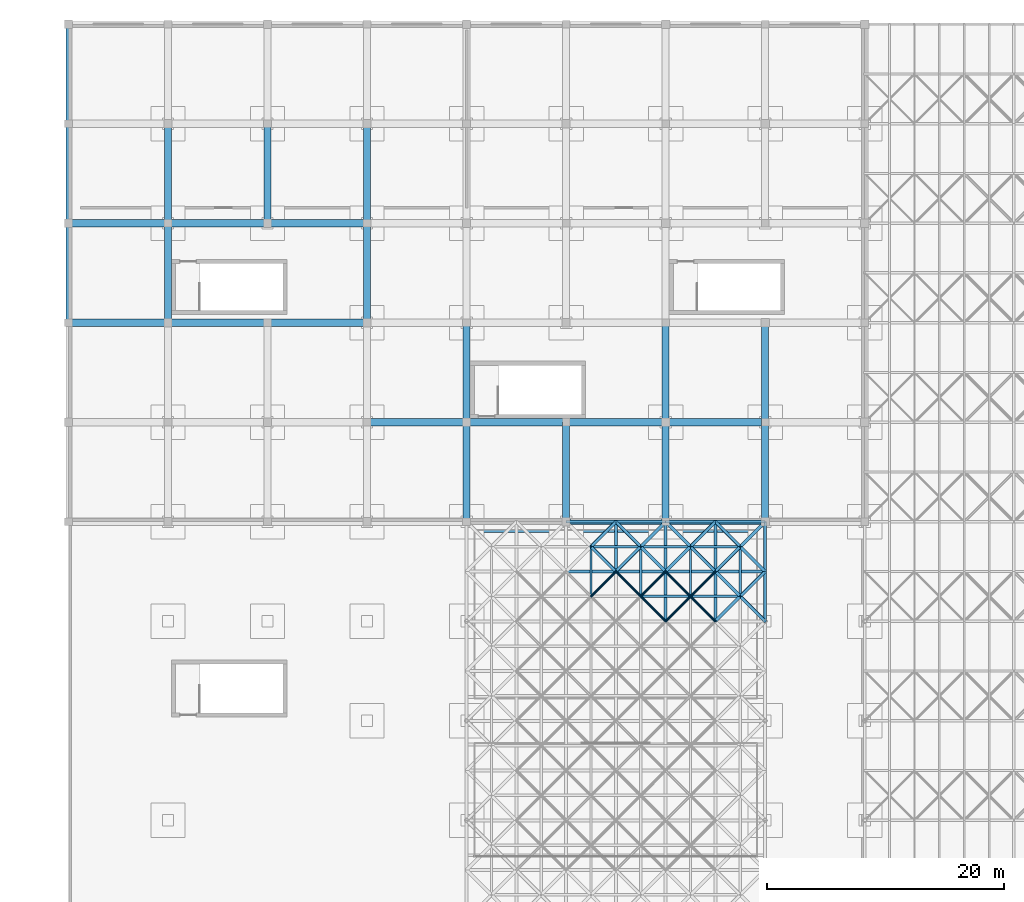
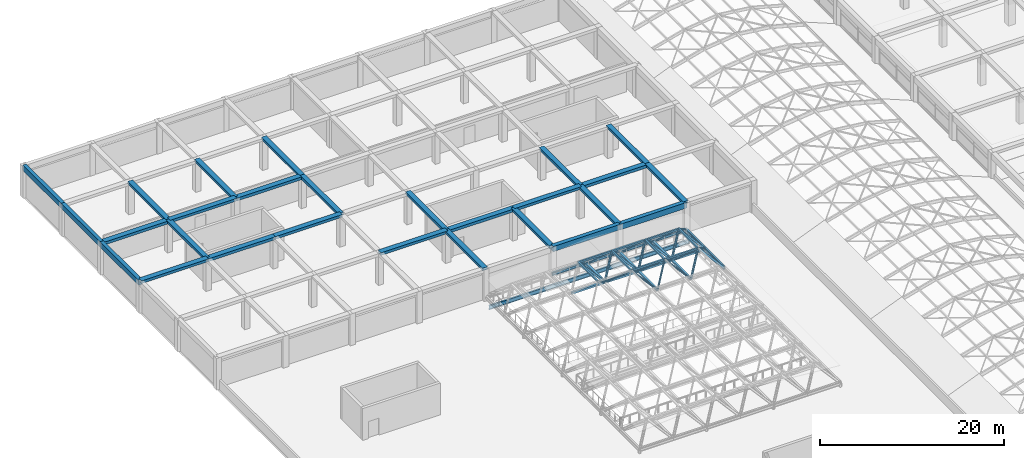
# One storey, part 25 of 85: 50 members, 31 beams.
"""IFC4 building model written with IfcOpenShell, lengths in metres."""

import ifcopenshell
import ifcopenshell.guid

model = None  # the IFC model being written
_history = None  # IfcOwnerHistory: only IFC2X3 demands one
_inside = {}  # id of a spatial element -> (the spatial element, [elements in it])
_under = {}  # id of a project, library or spatial element -> (it, [spatial elements below it])
_declared = {}  # id of a project -> (the project, [libraries it declares])
_typed = {}  # id of a type object -> (the type object, [elements of that type])
_made_of = {}  # id of a material, layer set ... -> (it, [elements and type objects made of it])


def new_model(schema):
    """Start an empty IFC model of exactly this schema.

    Asked for "IFC4X3", IfcOpenShell would pick the latest addendum, in which some entities
    have other attributes; the version numbers below select the first issue.
    IFC2X3 requires an IfcOwnerHistory on every rooted entity: one is made here for all.
    """
    global model, _history
    if schema == "IFC4X3":
        model = ifcopenshell.file(schema_version=(4, 3, 0, 0))
    else:
        model = ifcopenshell.file(schema=schema)
    _inside.clear()
    _under.clear()
    _declared.clear()
    _typed.clear()
    _made_of.clear()
    _history = None
    if model.schema == "IFC2X3":
        org = make("IfcOrganization", Name="unknown")
        user = make(
            "IfcPersonAndOrganization",
            ThePerson=make("IfcPerson", FamilyName="unknown"),
            TheOrganization=org,
        )
        app = make(
            "IfcApplication",
            ApplicationDeveloper=org,
            Version="unknown",
            ApplicationFullName="unknown",
            ApplicationIdentifier="unknown",
        )
        _history = make(
            "IfcOwnerHistory",
            OwningUser=user,
            OwningApplication=app,
            ChangeAction="ADDED",
            CreationDate=0,
        )
    return model


def make(cls, **values):
    """One entity of the class cls with the attributes given. An attribute that is None is left unset."""
    return model.create_entity(
        cls, **{name: value for name, value in values.items() if value is not None}
    )


def rooted(cls, **values):
    """An entity with a GlobalId (a new one), such as an element, a storey or a relation."""
    return make(cls, GlobalId=ifcopenshell.guid.new(), OwnerHistory=_history, **values)


def si_unit(unit_type, name, prefix=None):
    """IfcSIUnit, for example si_unit("LENGTHUNIT", "METRE", prefix="MILLI")."""
    return make("IfcSIUnit", UnitType=unit_type, Prefix=prefix, Name=name)


def assignment(units):
    """IfcUnitAssignment: the units of a project."""
    return None if units is None else make("IfcUnitAssignment", Units=units)


def point(xyz):
    """IfcCartesianPoint."""
    return None if xyz is None else make("IfcCartesianPoint", Coordinates=xyz)


def direction(xyz):
    """IfcDirection."""
    return None if xyz is None else make("IfcDirection", DirectionRatios=xyz)


def frame(location, z_axis=None, x_axis=None):
    """IfcAxis2Placement3D, a coordinate frame: its origin and axes. An axis left out is left unset."""
    return make(
        "IfcAxis2Placement3D",
        Location=point(location),
        Axis=direction(z_axis),
        RefDirection=direction(x_axis),
    )


def frame_2d(location, x_axis=None):
    """IfcAxis2Placement2D, a coordinate frame in the plane: its origin and x axis."""
    return make(
        "IfcAxis2Placement2D", Location=point(location), RefDirection=direction(x_axis)
    )


def origin():
    """The frame at (0, 0, 0) with its axes left unset."""
    return frame((0.0, 0.0, 0.0))


def origin_2d():
    """The frame at (0, 0) in the plane with its x axis left unset."""
    return frame_2d((0.0, 0.0))


def place(relative_to, where):
    """IfcLocalPlacement: puts the frame where relative to a parent placement (None: the world)."""
    return make(
        "IfcLocalPlacement", PlacementRelTo=relative_to, RelativePlacement=where
    )


def context(
    kind, dimensions, precision=None, world=None, true_north=None, identifier=None
):
    """IfcGeometricRepresentationContext, for example the 3D "Model" context."""
    return make(
        "IfcGeometricRepresentationContext",
        ContextIdentifier=identifier,
        ContextType=kind,
        CoordinateSpaceDimension=dimensions,
        Precision=precision,
        WorldCoordinateSystem=world,
        TrueNorth=true_north,
    )


def subcontext(parent, identifier, kind, view, scale=None):
    """IfcGeometricRepresentationSubContext, for example "Body" below "Model"."""
    return make(
        "IfcGeometricRepresentationSubContext",
        ContextIdentifier=identifier,
        ContextType=kind,
        ParentContext=parent,
        TargetScale=scale,
        TargetView=view,
    )


def project(units=None, contexts=None):
    """IfcProject with its units and contexts."""
    return rooted(
        "IfcProject",
        Name="project",
        RepresentationContexts=contexts,
        UnitsInContext=assignment(units),
    )


def spatial(cls, under=None, at=None, **own):
    """A site, building, storey or space (cls), placed at a placement, below another one or the project."""
    s = rooted(cls, ObjectPlacement=at, **own)
    if under is not None:
        _under.setdefault(under.id(), (under, []))[1].append(s)
    return s


def profile(cls, at=None, kind="AREA", **sizes):
    """A parametric profile (cls). Its sizes go by their IFC names, for example OverallWidth=200.0."""
    return make(cls, ProfileType=kind, Position=at, **sizes)


def rectangle(**sizes):
    """IfcRectangleProfileDef."""
    return profile("IfcRectangleProfileDef", **sizes)


def hollow_rectangle(**sizes):
    """IfcRectangleHollowProfileDef."""
    return profile("IfcRectangleHollowProfileDef", **sizes)


def hollow_circle(**sizes):
    """IfcCircleHollowProfileDef."""
    return profile("IfcCircleHollowProfileDef", **sizes)


def i_section(**sizes):
    """IfcIShapeProfileDef."""
    return profile("IfcIShapeProfileDef", **sizes)


def extrude(swept, where, along, depth):
    """IfcExtrudedAreaSolid: the profile swept, set in the frame where, extruded along a direction by depth."""
    return make(
        "IfcExtrudedAreaSolid",
        SweptArea=swept,
        Position=where,
        ExtrudedDirection=direction(along),
        Depth=depth,
    )


def shape(context_of_items, identifier, shape_type, items):
    """IfcShapeRepresentation: the items that make up one representation, for example the "Body"."""
    return make(
        "IfcShapeRepresentation",
        ContextOfItems=context_of_items,
        RepresentationIdentifier=identifier,
        RepresentationType=shape_type,
        Items=items,
    )


def material(Name=None, Category=None):
    """IfcMaterial."""
    return make("IfcMaterial", Name=Name, Category=Category)


def material_profile(
    of_material, cross_section, Name=None, Category=None, Priority=None
):
    """IfcMaterialProfile: a cross section and its material."""
    return make(
        "IfcMaterialProfile",
        Name=Name,
        Material=of_material,
        Profile=cross_section,
        Priority=Priority,
        Category=Category,
    )


def profile_set(profiles, Name=None, composite=None):
    """IfcMaterialProfileSet."""
    return make(
        "IfcMaterialProfileSet",
        Name=Name,
        MaterialProfiles=profiles,
        CompositeProfile=composite,
    )


def made_of(thing, what):
    """Note that an element or type object is made of a material, layer set ...; save() writes the relation."""
    if what is not None:
        _made_of.setdefault(what.id(), (what, []))[1].append(thing)
    return thing


def type_object(cls, material=None, **own):
    """A type object (cls), such as IfcWallType, which elements share."""
    return made_of(rooted(cls, **own), material)


def element(
    cls,
    number,
    at=None,
    inside=None,
    cuts=None,
    type_object=None,
    material=None,
    context=None,
    identifier="Body",
    shape_type=None,
    held_by="IfcProductDefinitionShape",
    body=None,
    shapes=None,
    **own,
):
    """One element of the class cls, such as IfcWall. Its Tag is "e" and its number.

    at: its placement. inside: the storey or other place that contains it. cuts: it is an
    opening in that element (IfcRelVoidsElement). A single representation is given by context,
    identifier, shape_type and body (its items); several are given by shapes. held_by: the class
    of the entity that holds the representations. save() writes the other relations.
    """
    e = rooted(cls, Tag="e%d" % number, ObjectPlacement=at, **own)
    if body is not None:
        shapes = [shape(context, identifier, shape_type, body)]
    if shapes is not None:
        e.Representation = make(held_by, Representations=shapes)
    if inside is not None:
        _inside.setdefault(inside.id(), (inside, []))[1].append(e)
    if cuts is not None:
        rooted(
            "IfcRelVoidsElement", RelatingBuildingElement=cuts, RelatedOpeningElement=e
        )
    if type_object is not None:
        _typed.setdefault(type_object.id(), (type_object, []))[1].append(e)
    return made_of(e, material)


def aggregate(whole, parts):
    """IfcRelAggregates: a whole, such as a stair, and the parts it consists of."""
    return rooted("IfcRelAggregates", RelatingObject=whole, RelatedObjects=parts)


def save(model, path):
    """Write the relations noted so far, then the file.

    IfcRelAggregates (storeys below a building ...), IfcRelContainedInSpatialStructure (elements
    in a storey), IfcRelDefinesByType, IfcRelAssociatesMaterial and IfcRelDeclares: one each for
    every whole, place, type object, material and project.
    """
    for whole, parts in _under.values():
        aggregate(whole, parts)
    for where, things in _inside.values():
        rooted(
            "IfcRelContainedInSpatialStructure",
            RelatedElements=things,
            RelatingStructure=where,
        )
    for kind, things in _typed.values():
        rooted("IfcRelDefinesByType", RelatedObjects=things, RelatingType=kind)
    for what, things in _made_of.values():
        rooted("IfcRelAssociatesMaterial", RelatedObjects=things, RelatingMaterial=what)
    for by, libraries in _declared.values():
        rooted("IfcRelDeclares", RelatingContext=by, RelatedDefinitions=libraries)
    model.write(path)


model = new_model("IFC4")

# Units and contexts
model_context = context("Model", 3, precision=1e-05, world=origin(), true_north=direction((0.0, 1.0)))
body_context = subcontext(model_context, "Body", "Model", "MODEL_VIEW")
ifc_project = project(units=[si_unit("LENGTHUNIT", "METRE"), si_unit("AREAUNIT", "SQUARE_METRE"), si_unit("VOLUMEUNIT", "CUBIC_METRE"), si_unit("PLANEANGLEUNIT", "RADIAN"), si_unit("MASSUNIT", "GRAM", prefix="KILO")], contexts=[model_context])

# Site, building, storey
site_placement = place(None, origin())
site = spatial("IfcSite", under=ifc_project, at=site_placement, CompositionType="ELEMENT")
building_placement = place(site_placement, origin())
building = spatial("IfcBuilding", under=site, at=building_placement, Name="Almacenes y Pasaje Nevantli", CompositionType="ELEMENT")
storey_placement = place(building_placement, frame((0.0, 0.0, 22.199951171875)))
storey = spatial("IfcBuildingStorey", under=building, at=storey_placement, Name="L05", CompositionType="ELEMENT", Elevation=22.199951171875)

# Beams
ifc_material_1 = material(Name="Concrete C35/45", Category="concrete")
ifc_material_profile_1 = material_profile(ifc_material_1, rectangle(XDim=0.449951171875, YDim=0.699951171875, at=origin_2d()), Name="RC-BM-450x700")
ifc_profile_set_1 = profile_set([ifc_material_profile_1], Name="Concrete C35/45")
beam_type_1 = type_object("IfcBeamType", Name="BM-RC-450x700", PredefinedType="SPANDREL", material=ifc_profile_set_1)
beam_1_placement = place(storey_placement, frame((0.0, 92.39990234375, 3.8701171875), z_axis=(0.0, 1.0, 0.0), x_axis=(-1.0, 0.0, 0.0)))
element("IfcBeam", 1, at=beam_1_placement, inside=storey, type_object=beam_type_1, Name="L05 North-South Reinforced Concrete Beam #3424", PredefinedType="SPANDREL", context=body_context, shape_type="SweptSolid", body=[
    extrude(rectangle(XDim=0.449951171875, YDim=0.699951171875, at=origin_2d()), origin(), (0.0, 0.0, 1.0), 8.400146484375),
])
beam_2_placement = place(storey_placement, frame((0.0, 100.800048828125, 3.8701171875), z_axis=(0.0, 1.0, 0.0), x_axis=(-1.0, 0.0, 0.0)))
element("IfcBeam", 2, at=beam_2_placement, inside=storey, type_object=beam_type_1, Name="L05 North-South Reinforced Concrete Beam #3425", PredefinedType="SPANDREL", context=body_context, shape_type="SweptSolid", body=[
    extrude(rectangle(XDim=0.449951171875, YDim=0.699951171875, at=origin_2d()), origin(), (0.0, 0.0, 1.0), 8.39990234375),
])
beam_3_placement = place(storey_placement, frame((0.0, 109.199951171875, 3.8701171875), z_axis=(0.0, 1.0, 0.0), x_axis=(-1.0, 0.0, 0.0)))
element("IfcBeam", 3, at=beam_3_placement, inside=storey, type_object=beam_type_1, Name="L05 North-South Reinforced Concrete Beam #3426", PredefinedType="SPANDREL", context=body_context, shape_type="SweptSolid", body=[
    extrude(rectangle(XDim=0.449951171875, YDim=0.699951171875, at=origin_2d()), origin(), (0.0, 0.0, 1.0), 8.400146484375),
])
ifc_material_2 = material(Name="Concrete C35/45", Category="concrete")
ifc_material_profile_2 = material_profile(ifc_material_2, rectangle(XDim=0.5, YDim=0.699951171875, at=origin_2d()), Name="RC-BM-500x700")
ifc_profile_set_2 = profile_set([ifc_material_profile_2], Name="Concrete C35/45")
beam_type_2 = type_object("IfcBeamType", Name="BM-RC-500x700", PredefinedType="BEAM", material=ifc_profile_set_2)
beam_4_placement = place(storey_placement, frame((42.0, 75.60009765625, 3.8701171875), z_axis=(1.0, 0.0, 0.0), x_axis=(0.0, 1.0, 0.0)))
element("IfcBeam", 4, at=beam_4_placement, inside=storey, type_object=beam_type_2, Name="L05 East-West Reinforced Concrete Beam #3325", PredefinedType="BEAM", context=body_context, shape_type="SweptSolid", body=[
    extrude(rectangle(XDim=0.5, YDim=0.699951171875, at=origin_2d()), origin(), (0.0, 0.0, 1.0), 8.39990234375),
])
ifc_material_3 = material(Name="Concrete C35/45", Category="concrete")
ifc_material_profile_3 = material_profile(ifc_material_3, rectangle(XDim=0.5, YDim=0.75, at=origin_2d()), Name="RC-BM-500x750")
ifc_profile_set_3 = profile_set([ifc_material_profile_3], Name="Concrete C35/45")
beam_type_3 = type_object("IfcBeamType", Name="BM-RC-500x750", PredefinedType="BEAM", material=ifc_profile_set_3)
beam_5_placement = place(storey_placement, frame((50.39990234375, 75.60009765625, 3.844970703125), z_axis=(1.0, 0.0, 0.0), x_axis=(0.0, 1.0, 0.0)))
element("IfcBeam", 5, at=beam_5_placement, inside=storey, type_object=beam_type_3, Name="L05 East-West Reinforced Concrete Beam #3326", PredefinedType="BEAM", context=body_context, shape_type="SweptSolid", body=[
    extrude(rectangle(XDim=0.5, YDim=0.75, at=origin_2d()), origin(), (0.0, 0.0, 1.0), 8.400146484375),
])
ifc_material_4 = material(Name="Concrete C35/45", Category="concrete")
ifc_material_profile_4 = material_profile(ifc_material_4, rectangle(XDim=0.60009765625, YDim=0.320068359375, at=origin_2d()), Name="RC-BM-600x320")
ifc_profile_set_4 = profile_set([ifc_material_profile_4], Name="Concrete C35/45")
beam_type_4 = type_object("IfcBeamType", Name="BM-RC-600x320", PredefinedType="BEAM", material=ifc_profile_set_4)
for number, where, z_axis, x_axis, name in (
    (6, (8.39990234375, 100.800048828125, 4.06005859375), (0.0, 1.0, 0.0), (-1.0, 0.0, 0.0), "L05 North-South Reinforced Concrete Beam #3430"),
    (7, (25.199951171875, 100.800048828125, 4.06005859375), (0.0, 1.0, 0.0), (-1.0, 0.0, 0.0), "L05 North-South Reinforced Concrete Beam #3439"),
    (8, (33.60009765625, 75.60009765625, 4.06005859375), (0.0, 1.0, 0.0), (-1.0, 0.0, 0.0), "L05 North-South Reinforced Concrete Beam #3441"),
    (9, (50.39990234375, 75.60009765625, 4.06005859375), (0.0, 1.0, 0.0), (-1.0, 0.0, 0.0), "L05 North-South Reinforced Concrete Beam #3450"),
    (10, (58.800048828125, 84.0, 4.06005859375), (0.0, 1.0, 0.0), (-1.0, 0.0, 0.0), "L05 North-South Reinforced Concrete Beam #3456"),
):
    element("IfcBeam", number, at=place(storey_placement, frame(where, z_axis=z_axis, x_axis=x_axis)), inside=storey, type_object=beam_type_4, Name=name, PredefinedType="BEAM", context=body_context, shape_type="SweptSolid", body=[
        extrude(rectangle(XDim=0.60009765625, YDim=0.320068359375, at=origin_2d()), origin(), (0.0, 0.0, 1.0), 8.39990234375),
    ])
ifc_material_5 = material(Name="Concrete C35/45", Category="concrete")
ifc_material_profile_5 = material_profile(ifc_material_5, rectangle(XDim=0.60009765625, YDim=0.340087890625, at=origin_2d()), Name="RC-BM-600x340")
ifc_profile_set_5 = profile_set([ifc_material_profile_5], Name="Concrete C35/45")
beam_type_5 = type_object("IfcBeamType", Name="BM-RC-600x340", PredefinedType="BEAM", material=ifc_profile_set_5)
beam_6_placement = place(storey_placement, frame((8.39990234375, 92.39990234375, 4.050048828125), z_axis=(0.0, 1.0, 0.0), x_axis=(-1.0, 0.0, 0.0)))
element("IfcBeam", 11, at=beam_6_placement, inside=storey, type_object=beam_type_5, Name="L05 North-South Reinforced Concrete Beam #3429", PredefinedType="BEAM", context=body_context, shape_type="SweptSolid", body=[
    extrude(rectangle(XDim=0.60009765625, YDim=0.340087890625, at=origin_2d()), origin(), (0.0, 0.0, 1.0), 8.400146484375),
])
beam_7_placement = place(storey_placement, frame((16.800048828125, 100.800048828125, 4.050048828125), z_axis=(0.0, 1.0, 0.0), x_axis=(-1.0, 0.0, 0.0)))
element("IfcBeam", 12, at=beam_7_placement, inside=storey, type_object=beam_type_5, Name="L05 North-South Reinforced Concrete Beam #3434", PredefinedType="BEAM", context=body_context, shape_type="SweptSolid", body=[
    extrude(rectangle(XDim=0.60009765625, YDim=0.340087890625, at=origin_2d()), origin(), (0.0, 0.0, 1.0), 8.39990234375),
])
beam_8_placement = place(storey_placement, frame((25.199951171875, 92.39990234375, 4.050048828125), z_axis=(0.0, 1.0, 0.0), x_axis=(-1.0, 0.0, 0.0)))
element("IfcBeam", 13, at=beam_8_placement, inside=storey, type_object=beam_type_5, Name="L05 North-South Reinforced Concrete Beam #3438", PredefinedType="BEAM", context=body_context, shape_type="SweptSolid", body=[
    extrude(rectangle(XDim=0.60009765625, YDim=0.340087890625, at=origin_2d()), origin(), (0.0, 0.0, 1.0), 8.400146484375),
])
for number, where, z_axis, x_axis, name in (
    (14, (33.60009765625, 84.0, 4.050048828125), (0.0, 1.0, 0.0), (-1.0, 0.0, 0.0), "L05 North-South Reinforced Concrete Beam #3442"),
    (15, (42.0, 75.60009765625, 4.050048828125), (0.0, 1.0, 0.0), (-1.0, 0.0, 0.0), "L05 North-South Reinforced Concrete Beam #3446"),
    (16, (50.39990234375, 84.0, 4.050048828125), (0.0, 1.0, 0.0), (-1.0, 0.0, 0.0), "L05 North-South Reinforced Concrete Beam #3451"),
    (17, (58.800048828125, 75.60009765625, 4.050048828125), (0.0, 1.0, 0.0), (-1.0, 0.0, 0.0), "L05 North-South Reinforced Concrete Beam #3455"),
):
    element("IfcBeam", number, at=place(storey_placement, frame(where, z_axis=z_axis, x_axis=x_axis)), inside=storey, type_object=beam_type_5, Name=name, PredefinedType="BEAM", context=body_context, shape_type="SweptSolid", body=[
        extrude(rectangle(XDim=0.60009765625, YDim=0.340087890625, at=origin_2d()), origin(), (0.0, 0.0, 1.0), 8.39990234375),
    ])
ifc_material_6 = material(Name="Concrete C35/45", Category="concrete")
ifc_material_profile_6 = material_profile(ifc_material_6, rectangle(XDim=0.64990234375, YDim=0.35009765625, at=origin_2d()), Name="RC-BM-650x350")
ifc_profile_set_6 = profile_set([ifc_material_profile_6], Name="Concrete C35/45")
beam_type_6 = type_object("IfcBeamType", Name="BM-RC-650x350", PredefinedType="BEAM", material=ifc_profile_set_6)
beam_9_placement = place(storey_placement, frame((25.199951171875, 84.0, 4.045166015625), z_axis=(1.0, 0.0, 0.0), x_axis=(0.0, 1.0, 0.0)))
element("IfcBeam", 18, at=beam_9_placement, inside=storey, type_object=beam_type_6, Name="L05 East-West Reinforced Concrete Beam #3340", PredefinedType="BEAM", context=body_context, shape_type="SweptSolid", body=[
    extrude(rectangle(XDim=0.64990234375, YDim=0.35009765625, at=origin_2d()), origin(), (0.0, 0.0, 1.0), 8.400146484375),
])
for number, where, z_axis, x_axis, name in (
    (19, (42.0, 84.0, 4.045166015625), (1.0, 0.0, 0.0), (0.0, 1.0, 0.0), "L05 East-West Reinforced Concrete Beam #3342"),
    (20, (0.0, 92.39990234375, 4.045166015625), (1.0, 0.0, 0.0), (0.0, 1.0, 0.0), "L05 East-West Reinforced Concrete Beam #3354"),
    (21, (16.800048828125, 92.39990234375, 4.045166015625), (1.0, 0.0, 0.0), (0.0, 1.0, 0.0), "L05 East-West Reinforced Concrete Beam #3356"),
):
    element("IfcBeam", number, at=place(storey_placement, frame(where, z_axis=z_axis, x_axis=x_axis)), inside=storey, type_object=beam_type_6, Name=name, PredefinedType="BEAM", context=body_context, shape_type="SweptSolid", body=[
        extrude(rectangle(XDim=0.64990234375, YDim=0.35009765625, at=origin_2d()), origin(), (0.0, 0.0, 1.0), 8.39990234375),
    ])
beam_10_placement = place(storey_placement, frame((8.39990234375, 100.800048828125, 4.045166015625), z_axis=(1.0, 0.0, 0.0), x_axis=(0.0, 1.0, 0.0)))
element("IfcBeam", 22, at=beam_10_placement, inside=storey, type_object=beam_type_6, Name="L05 East-West Reinforced Concrete Beam #3372", PredefinedType="BEAM", context=body_context, shape_type="SweptSolid", body=[
    extrude(rectangle(XDim=0.64990234375, YDim=0.35009765625, at=origin_2d()), origin(), (0.0, 0.0, 1.0), 8.400146484375),
])
ifc_material_7 = material(Name="Concrete C35/45", Category="concrete")
ifc_material_profile_7 = material_profile(ifc_material_7, rectangle(XDim=0.64990234375, YDim=0.3798828125, at=origin_2d()), Name="RC-BM-650x380")
ifc_profile_set_7 = profile_set([ifc_material_profile_7], Name="Concrete C35/45")
beam_type_7 = type_object("IfcBeamType", Name="BM-RC-650x380", PredefinedType="BEAM", material=ifc_profile_set_7)
beam_11_placement = place(storey_placement, frame((33.60009765625, 84.0, 4.030029296875), z_axis=(1.0, 0.0, 0.0), x_axis=(0.0, 1.0, 0.0)))
element("IfcBeam", 23, at=beam_11_placement, inside=storey, type_object=beam_type_7, Name="L05 East-West Reinforced Concrete Beam #3341", PredefinedType="BEAM", context=body_context, shape_type="SweptSolid", body=[
    extrude(rectangle(XDim=0.64990234375, YDim=0.3798828125, at=origin_2d()), origin(), (0.0, 0.0, 1.0), 8.39990234375),
])
for number, where, z_axis, x_axis, name in (
    (24, (50.39990234375, 84.0, 4.030029296875), (1.0, 0.0, 0.0), (0.0, 1.0, 0.0), "L05 East-West Reinforced Concrete Beam #3343"),
    (25, (8.39990234375, 92.39990234375, 4.030029296875), (1.0, 0.0, 0.0), (0.0, 1.0, 0.0), "L05 East-West Reinforced Concrete Beam #3355"),
):
    element("IfcBeam", number, at=place(storey_placement, frame(where, z_axis=z_axis, x_axis=x_axis)), inside=storey, type_object=beam_type_7, Name=name, PredefinedType="BEAM", context=body_context, shape_type="SweptSolid", body=[
        extrude(rectangle(XDim=0.64990234375, YDim=0.3798828125, at=origin_2d()), origin(), (0.0, 0.0, 1.0), 8.400146484375),
    ])
for number, where, z_axis, x_axis, name in (
    (26, (0.0, 100.800048828125, 4.030029296875), (1.0, 0.0, 0.0), (0.0, 1.0, 0.0), "L05 East-West Reinforced Concrete Beam #3371"),
    (27, (16.800048828125, 100.800048828125, 4.030029296875), (1.0, 0.0, 0.0), (0.0, 1.0, 0.0), "L05 East-West Reinforced Concrete Beam #3373"),
):
    element("IfcBeam", number, at=place(storey_placement, frame(where, z_axis=z_axis, x_axis=x_axis)), inside=storey, type_object=beam_type_7, Name=name, PredefinedType="BEAM", context=body_context, shape_type="SweptSolid", body=[
        extrude(rectangle(XDim=0.64990234375, YDim=0.3798828125, at=origin_2d()), origin(), (0.0, 0.0, 1.0), 8.39990234375),
    ])
ifc_material_8 = material(Name="Steel ASTM A992", Category="steel")
ifc_material_profile_8 = material_profile(ifc_material_8, i_section(OverallWidth=0.193115234375, OverallDepth=0.4599609375, WebThickness=0.011474609375, FlangeThickness=0.01904296875, at=origin_2d()), Name="IR 457x96.7")
ifc_profile_set_8 = profile_set([ifc_material_profile_8], Name="Steel ASTM A992")
beam_type_8 = type_object("IfcBeamType", Name="BM-STL-IR-457x96p7", PredefinedType="BEAM", material=ifc_profile_set_8)
beam_12_placement = place(storey_placement, frame((58.800048828125, 67.199951171875, 0.449951171875), z_axis=(0.0, 1.0, 0.0), x_axis=(-1.0, 0.0, 0.0)))
element("IfcBeam", 28, at=beam_12_placement, inside=storey, type_object=beam_type_8, Name="Atrium Skylight Perimeter Steel Eave Girder #8", PredefinedType="BEAM", context=body_context, shape_type="SweptSolid", body=[
    extrude(i_section(OverallWidth=0.193115234375, OverallDepth=0.4599609375, WebThickness=0.011474609375, FlangeThickness=0.01904296875, at=origin_2d()), origin(), (0.0, 0.0, 1.0), 8.400146484375),
])
beam_13_placement = place(storey_placement, frame((42.0, 75.60009765625, 0.449951171875), z_axis=(1.0, 0.0, 0.0), x_axis=(0.0, 1.0, 0.0)))
element("IfcBeam", 29, at=beam_13_placement, inside=storey, type_object=beam_type_8, Name="Atrium Skylight Perimeter Steel Eave Girder #13", PredefinedType="BEAM", context=body_context, shape_type="SweptSolid", body=[
    extrude(i_section(OverallWidth=0.193115234375, OverallDepth=0.4599609375, WebThickness=0.011474609375, FlangeThickness=0.01904296875, at=origin_2d()), origin(), (0.0, 0.0, 1.0), 8.39990234375),
])
beam_14_placement = place(storey_placement, frame((50.39990234375, 75.60009765625, 0.449951171875), z_axis=(1.0, 0.0, 0.0), x_axis=(0.0, 1.0, 0.0)))
element("IfcBeam", 30, at=beam_14_placement, inside=storey, type_object=beam_type_8, Name="Atrium Skylight Perimeter Steel Eave Girder #14", PredefinedType="BEAM", context=body_context, shape_type="SweptSolid", body=[
    extrude(i_section(OverallWidth=0.193115234375, OverallDepth=0.4599609375, WebThickness=0.011474609375, FlangeThickness=0.01904296875, at=origin_2d()), origin(), (0.0, 0.0, 1.0), 8.400146484375),
])
ifc_material_9 = material(Name="Steel ASTM A992", Category="steel")
ifc_material_profile_9 = material_profile(ifc_material_9, i_section(OverallWidth=0.2119140625, OverallDepth=0.5439453125, WebThickness=0.01318359375, FlangeThickness=0.021240234375, at=origin_2d()), Name="IR 533x123.5")
ifc_profile_set_9 = profile_set([ifc_material_profile_9], Name="Steel ASTM A992")
beam_type_9 = type_object("IfcBeamType", Name="BM-STL-IR-533x123p5", PredefinedType="BEAM", material=ifc_profile_set_9)
beam_15_placement = place(storey_placement, frame((33.60009765625, 74.800048828125, -0.579833984375), z_axis=(1.0, 0.0, 0.0), x_axis=(0.0, 1.0, 0.0)))
element("IfcBeam", 31, at=beam_15_placement, inside=storey, type_object=beam_type_9, Name="L05 Atrium Escalator Bridge and Trimmer Girder #4", PredefinedType="BEAM", context=body_context, shape_type="SweptSolid", body=[
    extrude(i_section(OverallWidth=0.2119140625, OverallDepth=0.5439453125, WebThickness=0.01318359375, FlangeThickness=0.021240234375, at=origin_2d()), origin(), (0.0, 0.0, 1.0), 25.199951171875),
])

# Members
ifc_material_10 = material(Name="Steel ASTM A500 Grade C", Category="steel")
ifc_material_profile_10 = material_profile(ifc_material_10, hollow_circle(Radius=0.109619140625, WallThickness=0.00830078125, at=origin_2d()), Name="OC 219x8.2")
ifc_profile_set_10 = profile_set([ifc_material_profile_10], Name="Steel ASTM A500 Grade C")
member_type_1 = type_object("IfcMemberType", Name="MBR-BRC-OC219", PredefinedType="BRACE", material=ifc_profile_set_10)
member_1_placement = place(storey_placement, frame((46.199951171875, 71.39990234375, 0.449951171875), z_axis=(-0.577327893874, -0.577327893874, 0.577395017219), x_axis=(0.707106781187, -0.707106781187, 0.0)))
element("IfcMember", 32, at=member_1_placement, inside=storey, type_object=member_type_1, Name="Atrium Skylight Space Frame Diagonal Web #243", PredefinedType="BRACE", context=body_context, shape_type="SweptSolid", body=[
    extrude(hollow_circle(Radius=0.109619140625, WallThickness=0.00830078125, at=origin_2d()), origin(), (0.0, 0.0, 1.0), 3.63720703125),
])
member_2_placement = place(storey_placement, frame((50.39990234375, 67.199951171875, 0.449951171875), z_axis=(-0.57730552116, 0.577372641904, 0.577372641904), x_axis=(-0.707147883682, -0.707065676302, 0.0)))
element("IfcMember", 33, at=member_2_placement, inside=storey, type_object=member_type_1, Name="Atrium Skylight Space Frame Diagonal Web #289", PredefinedType="BRACE", context=body_context, shape_type="SweptSolid", body=[
    extrude(hollow_circle(Radius=0.109619140625, WallThickness=0.00830078125, at=origin_2d()), origin(), (0.0, 0.0, 1.0), 3.637451171875),
])
member_3_placement = place(storey_placement, frame((50.39990234375, 71.39990234375, 0.449951171875), z_axis=(-0.577327893874, -0.577327893874, 0.577395017219), x_axis=(0.707106781187, -0.707106781187, 0.0)))
element("IfcMember", 34, at=member_3_placement, inside=storey, type_object=member_type_1, Name="Atrium Skylight Space Frame Diagonal Web #290", PredefinedType="BRACE", context=body_context, shape_type="SweptSolid", body=[
    extrude(hollow_circle(Radius=0.109619140625, WallThickness=0.00830078125, at=origin_2d()), origin(), (0.0, 0.0, 1.0), 3.63720703125),
])
for number, where, z_axis, x_axis, name in (
    (35, (46.199951171875, 71.39990234375, 0.449951171875), (0.577372641904, -0.57730552116, 0.577372641904), (0.707065676302, 0.707147883682, 0.0), "Atrium Skylight Space Frame Diagonal Web #291"),
    (36, (50.39990234375, 67.199951171875, 0.449951171875), (0.57735026919, 0.57735026919, 0.57735026919), (-0.707106781187, 0.707106781187, 0.0), "Atrium Skylight Space Frame Diagonal Web #335"),
    (37, (54.60009765625, 67.199951171875, 0.449951171875), (-0.57735026919, 0.57735026919, 0.57735026919), (-0.707106781187, -0.707106781187, 0.0), "Atrium Skylight Space Frame Diagonal Web #336"),
    (38, (54.60009765625, 71.39990234375, 0.449951171875), (-0.577372641904, -0.57730552116, 0.577372641904), (0.707065676302, -0.707147883682, 0.0), "Atrium Skylight Space Frame Diagonal Web #337"),
    (39, (50.39990234375, 71.39990234375, 0.449951171875), (0.577372641904, -0.57730552116, 0.577372641904), (0.707065676302, 0.707147883682, 0.0), "Atrium Skylight Space Frame Diagonal Web #338"),
):
    element("IfcMember", number, at=place(storey_placement, frame(where, z_axis=z_axis, x_axis=x_axis)), inside=storey, type_object=member_type_1, Name=name, PredefinedType="BRACE", context=body_context, shape_type="SweptSolid", body=[
        extrude(hollow_circle(Radius=0.109619140625, WallThickness=0.00830078125, at=origin_2d()), origin(), (0.0, 0.0, 1.0), 3.637451171875),
    ])
ifc_material_11 = material(Name="Steel ASTM A500 Grade C", Category="steel")
ifc_material_profile_11 = material_profile(ifc_material_11, hollow_circle(Radius=0.136474609375, WallThickness=0.00927734375, at=origin_2d()), Name="OC 273x9.3")
ifc_profile_set_11 = profile_set([ifc_material_profile_11], Name="Steel ASTM A500 Grade C")
member_type_2 = type_object("IfcMemberType", Name="MBR-BRC-OC273", PredefinedType="BRACE", material=ifc_profile_set_11)
for number, where, z_axis, x_axis, name in (
    (40, (46.199951171875, 71.39990234375, 0.449951171875), (-0.57730552116, 0.577372641904, 0.577372641904), (-0.707147883682, -0.707065676302, 0.0), "Atrium Skylight Space Frame Diagonal Web #248"),
    (41, (46.199951171875, 75.60009765625, 0.449951171875), (-0.57730552116, -0.577372641904, 0.577372641904), (0.707147883682, -0.707065676302, 0.0), "Atrium Skylight Space Frame Diagonal Web #249"),
    (42, (46.199951171875, 71.39990234375, 0.449951171875), (0.57735026919, 0.57735026919, 0.57735026919), (-0.707106781187, 0.707106781187, 0.0), "Atrium Skylight Space Frame Diagonal Web #294"),
    (43, (50.39990234375, 71.39990234375, 0.449951171875), (-0.57730552116, 0.577372641904, 0.577372641904), (-0.707147883682, -0.707065676302, 0.0), "Atrium Skylight Space Frame Diagonal Web #295"),
    (44, (50.39990234375, 75.60009765625, 0.449951171875), (-0.57730552116, -0.577372641904, 0.577372641904), (0.707147883682, -0.707065676302, 0.0), "Atrium Skylight Space Frame Diagonal Web #296"),
    (45, (46.199951171875, 75.60009765625, 0.449951171875), (0.57735026919, -0.57735026919, 0.57735026919), (0.707106781187, 0.707106781187, 0.0), "Atrium Skylight Space Frame Diagonal Web #297"),
    (46, (50.39990234375, 71.39990234375, 0.449951171875), (0.57735026919, 0.57735026919, 0.57735026919), (-0.707106781187, 0.707106781187, 0.0), "Atrium Skylight Space Frame Diagonal Web #341"),
    (47, (54.60009765625, 71.39990234375, 0.449951171875), (-0.57735026919, 0.57735026919, 0.57735026919), (-0.707106781187, -0.707106781187, 0.0), "Atrium Skylight Space Frame Diagonal Web #342"),
    (48, (54.60009765625, 75.60009765625, 0.449951171875), (-0.57735026919, -0.57735026919, 0.57735026919), (0.707106781187, -0.707106781187, 0.0), "Atrium Skylight Space Frame Diagonal Web #343"),
    (49, (50.39990234375, 75.60009765625, 0.449951171875), (0.57735026919, -0.57735026919, 0.57735026919), (0.707106781187, 0.707106781187, 0.0), "Atrium Skylight Space Frame Diagonal Web #344"),
    (50, (54.60009765625, 67.199951171875, 0.449951171875), (0.57730552116, 0.577372641904, 0.577372641904), (-0.707147883682, 0.707065676302, 0.0), "Atrium Skylight Space Frame Diagonal Web #376"),
    (51, (58.800048828125, 67.199951171875, 0.449951171875), (-0.57735026919, 0.57735026919, 0.57735026919), (-0.707106781187, -0.707106781187, 0.0), "Atrium Skylight Space Frame Diagonal Web #377"),
    (52, (58.800048828125, 71.39990234375, 0.449951171875), (-0.577372641904, -0.57730552116, 0.577372641904), (0.707065676302, -0.707147883682, 0.0), "Atrium Skylight Space Frame Diagonal Web #378"),
):
    element("IfcMember", number, at=place(storey_placement, frame(where, z_axis=z_axis, x_axis=x_axis)), inside=storey, type_object=member_type_2, Name=name, PredefinedType="BRACE", context=body_context, shape_type="SweptSolid", body=[
        extrude(hollow_circle(Radius=0.136474609375, WallThickness=0.00927734375, at=origin_2d()), origin(), (0.0, 0.0, 1.0), 3.637451171875),
    ])
member_4_placement = place(storey_placement, frame((54.60009765625, 71.39990234375, 0.449951171875), z_axis=(0.577327893874, -0.577327893874, 0.577395017219), x_axis=(0.707106781187, 0.707106781187, 0.0)))
element("IfcMember", 53, at=member_4_placement, inside=storey, type_object=member_type_2, Name="Atrium Skylight Space Frame Diagonal Web #379", PredefinedType="BRACE", context=body_context, shape_type="SweptSolid", body=[
    extrude(hollow_circle(Radius=0.136474609375, WallThickness=0.00927734375, at=origin_2d()), origin(), (0.0, 0.0, 1.0), 3.63720703125),
])
for number, where, z_axis, x_axis, name in (
    (54, (54.60009765625, 71.39990234375, 0.449951171875), (0.57730552116, 0.577372641904, 0.577372641904), (-0.707147883682, 0.707065676302, 0.0), "Atrium Skylight Space Frame Diagonal Web #381"),
    (55, (58.800048828125, 71.39990234375, 0.449951171875), (-0.57735026919, 0.57735026919, 0.57735026919), (-0.707106781187, -0.707106781187, 0.0), "Atrium Skylight Space Frame Diagonal Web #382"),
    (56, (58.800048828125, 75.60009765625, 0.449951171875), (-0.57735026919, -0.57735026919, 0.57735026919), (0.707106781187, -0.707106781187, 0.0), "Atrium Skylight Space Frame Diagonal Web #383"),
    (57, (54.60009765625, 75.60009765625, 0.449951171875), (0.57730552116, -0.577372641904, 0.577372641904), (0.707147883682, 0.707065676302, 0.0), "Atrium Skylight Space Frame Diagonal Web #384"),
):
    element("IfcMember", number, at=place(storey_placement, frame(where, z_axis=z_axis, x_axis=x_axis)), inside=storey, type_object=member_type_2, Name=name, PredefinedType="BRACE", context=body_context, shape_type="SweptSolid", body=[
        extrude(hollow_circle(Radius=0.136474609375, WallThickness=0.00927734375, at=origin_2d()), origin(), (0.0, 0.0, 1.0), 3.637451171875),
    ])
ifc_material_12 = material(Name="Steel ASTM A500 Grade C", Category="steel")
ifc_material_profile_12 = material_profile(ifc_material_12, hollow_rectangle(XDim=0.203125, YDim=0.203125, WallThickness=0.009521484375, at=origin_2d()), Name="OR 203x203x9.5")
ifc_profile_set_12 = profile_set([ifc_material_profile_12], Name="Steel ASTM A500 Grade C")
member_type_3 = type_object("IfcMemberType", Name="MBR-BRC-OR203", PredefinedType="BRACE", material=ifc_profile_set_12)
for number, where, z_axis, x_axis, name in (
    (58, (44.10009765625, 69.300048828125, 2.550048828125), (0.0, 1.0, 0.0), (-1.0, 0.0, 0.0), "Atrium Skylight Space Frame Top Chord Y #246"),
    (59, (44.10009765625, 73.5, 2.550048828125), (1.0, 0.0, 0.0), (0.0, 1.0, 0.0), "Atrium Skylight Space Frame Top Chord X #251"),
    (60, (48.300048828125, 69.300048828125, 2.550048828125), (1.0, 0.0, 0.0), (0.0, 1.0, 0.0), "Atrium Skylight Space Frame Top Chord X #292"),
    (61, (48.300048828125, 69.300048828125, 2.550048828125), (0.0, 1.0, 0.0), (-1.0, 0.0, 0.0), "Atrium Skylight Space Frame Top Chord Y #293"),
    (62, (48.300048828125, 73.5, 2.550048828125), (1.0, 0.0, 0.0), (0.0, 1.0, 0.0), "Atrium Skylight Space Frame Top Chord X #298"),
    (63, (52.5, 69.300048828125, 2.550048828125), (1.0, 0.0, 0.0), (0.0, 1.0, 0.0), "Atrium Skylight Space Frame Top Chord X #339"),
    (64, (52.5, 69.300048828125, 2.550048828125), (0.0, 1.0, 0.0), (-1.0, 0.0, 0.0), "Atrium Skylight Space Frame Top Chord Y #340"),
    (65, (52.5, 73.5, 2.550048828125), (1.0, 0.0, 0.0), (0.0, 1.0, 0.0), "Atrium Skylight Space Frame Top Chord X #345"),
    (66, (56.699951171875, 69.300048828125, 2.550048828125), (0.0, 1.0, 0.0), (-1.0, 0.0, 0.0), "Atrium Skylight Space Frame Top Chord Y #380"),
):
    element("IfcMember", number, at=place(storey_placement, frame(where, z_axis=z_axis, x_axis=x_axis)), inside=storey, type_object=member_type_3, Name=name, PredefinedType="BRACE", context=body_context, shape_type="SweptSolid", body=[
        extrude(hollow_rectangle(XDim=0.203125, YDim=0.203125, WallThickness=0.009521484375, at=origin_2d()), origin(), (0.0, 0.0, 1.0), 4.199951171875),
    ])
ifc_material_13 = material(Name="Steel ASTM A500 Grade C", Category="steel")
ifc_material_profile_13 = material_profile(ifc_material_13, hollow_rectangle(XDim=0.25390625, YDim=0.25390625, WallThickness=0.009521484375, at=origin_2d()), Name="OR 254x254x9.5")
ifc_profile_set_13 = profile_set([ifc_material_profile_13], Name="Steel ASTM A500 Grade C")
member_type_4 = type_object("IfcMemberType", Name="MBR-BRC-OR254", PredefinedType="BRACE", material=ifc_profile_set_13)
member_5_placement = place(storey_placement, frame((46.199951171875, 71.39990234375, 0.449951171875), z_axis=(0.0, 1.0, 0.0), x_axis=(-1.0, 0.0, 0.0)))
element("IfcMember", 67, at=member_5_placement, inside=storey, type_object=member_type_4, Name="Atrium Skylight Space Frame Bottom Chord #32", PredefinedType="BRACE", context=body_context, shape_type="SweptSolid", body=[
    extrude(hollow_rectangle(XDim=0.25390625, YDim=0.25390625, WallThickness=0.009521484375, at=origin_2d()), origin(), (0.0, 0.0, 1.0), 4.2001953125),
])
member_6_placement = place(storey_placement, frame((50.39990234375, 67.199951171875, 0.449951171875), z_axis=(0.0, 1.0, 0.0), x_axis=(-1.0, 0.0, 0.0)))
element("IfcMember", 68, at=member_6_placement, inside=storey, type_object=member_type_4, Name="Atrium Skylight Space Frame Bottom Chord #39", PredefinedType="BRACE", context=body_context, shape_type="SweptSolid", body=[
    extrude(hollow_rectangle(XDim=0.25390625, YDim=0.25390625, WallThickness=0.009521484375, at=origin_2d()), origin(), (0.0, 0.0, 1.0), 4.199951171875),
])
member_7_placement = place(storey_placement, frame((50.39990234375, 71.39990234375, 0.449951171875), z_axis=(0.0, 1.0, 0.0), x_axis=(-1.0, 0.0, 0.0)))
element("IfcMember", 69, at=member_7_placement, inside=storey, type_object=member_type_4, Name="Atrium Skylight Space Frame Bottom Chord #40", PredefinedType="BRACE", context=body_context, shape_type="SweptSolid", body=[
    extrude(hollow_rectangle(XDim=0.25390625, YDim=0.25390625, WallThickness=0.009521484375, at=origin_2d()), origin(), (0.0, 0.0, 1.0), 4.2001953125),
])
member_8_placement = place(storey_placement, frame((54.60009765625, 67.199951171875, 0.449951171875), z_axis=(0.0, 1.0, 0.0), x_axis=(-1.0, 0.0, 0.0)))
element("IfcMember", 70, at=member_8_placement, inside=storey, type_object=member_type_4, Name="Atrium Skylight Space Frame Bottom Chord #47", PredefinedType="BRACE", context=body_context, shape_type="SweptSolid", body=[
    extrude(hollow_rectangle(XDim=0.25390625, YDim=0.25390625, WallThickness=0.009521484375, at=origin_2d()), origin(), (0.0, 0.0, 1.0), 4.199951171875),
])
member_9_placement = place(storey_placement, frame((54.60009765625, 71.39990234375, 0.449951171875), z_axis=(0.0, 1.0, 0.0), x_axis=(-1.0, 0.0, 0.0)))
element("IfcMember", 71, at=member_9_placement, inside=storey, type_object=member_type_4, Name="Atrium Skylight Space Frame Bottom Chord #48", PredefinedType="BRACE", context=body_context, shape_type="SweptSolid", body=[
    extrude(hollow_rectangle(XDim=0.25390625, YDim=0.25390625, WallThickness=0.009521484375, at=origin_2d()), origin(), (0.0, 0.0, 1.0), 4.2001953125),
])
member_10_placement = place(storey_placement, frame((58.800048828125, 67.199951171875, 0.449951171875), z_axis=(0.0, 1.0, 0.0), x_axis=(-1.0, 0.0, 0.0)))
element("IfcMember", 72, at=member_10_placement, inside=storey, type_object=member_type_4, Name="Atrium Skylight Space Frame Bottom Chord #55", PredefinedType="BRACE", context=body_context, shape_type="SweptSolid", body=[
    extrude(hollow_rectangle(XDim=0.25390625, YDim=0.25390625, WallThickness=0.009521484375, at=origin_2d()), origin(), (0.0, 0.0, 1.0), 4.199951171875),
])
member_11_placement = place(storey_placement, frame((58.800048828125, 71.39990234375, 0.449951171875), z_axis=(0.0, 1.0, 0.0), x_axis=(-1.0, 0.0, 0.0)))
element("IfcMember", 73, at=member_11_placement, inside=storey, type_object=member_type_4, Name="Atrium Skylight Space Frame Bottom Chord #56", PredefinedType="BRACE", context=body_context, shape_type="SweptSolid", body=[
    extrude(hollow_rectangle(XDim=0.25390625, YDim=0.25390625, WallThickness=0.009521484375, at=origin_2d()), origin(), (0.0, 0.0, 1.0), 4.2001953125),
])
for number, where, z_axis, x_axis, name in (
    (74, (42.0, 71.39990234375, 0.449951171875), (1.0, 0.0, 0.0), (0.0, 1.0, 0.0), "Atrium Skylight Space Frame Bottom Cross Chord #101"),
    (75, (46.199951171875, 71.39990234375, 0.449951171875), (1.0, 0.0, 0.0), (0.0, 1.0, 0.0), "Atrium Skylight Space Frame Bottom Cross Chord #102"),
):
    element("IfcMember", number, at=place(storey_placement, frame(where, z_axis=z_axis, x_axis=x_axis)), inside=storey, type_object=member_type_4, Name=name, PredefinedType="BRACE", context=body_context, shape_type="SweptSolid", body=[
        extrude(hollow_rectangle(XDim=0.25390625, YDim=0.25390625, WallThickness=0.009521484375, at=origin_2d()), origin(), (0.0, 0.0, 1.0), 4.199951171875),
    ])
member_12_placement = place(storey_placement, frame((50.39990234375, 71.39990234375, 0.449951171875), z_axis=(1.0, 0.0, 0.0), x_axis=(0.0, 1.0, 0.0)))
element("IfcMember", 76, at=member_12_placement, inside=storey, type_object=member_type_4, Name="Atrium Skylight Space Frame Bottom Cross Chord #103", PredefinedType="BRACE", context=body_context, shape_type="SweptSolid", body=[
    extrude(hollow_rectangle(XDim=0.25390625, YDim=0.25390625, WallThickness=0.009521484375, at=origin_2d()), origin(), (0.0, 0.0, 1.0), 4.2001953125),
])
for number, where, z_axis, x_axis, name in (
    (77, (54.60009765625, 71.39990234375, 0.449951171875), (1.0, 0.0, 0.0), (0.0, 1.0, 0.0), "Atrium Skylight Space Frame Bottom Cross Chord #104"),
    (78, (42.0, 75.60009765625, 0.449951171875), (1.0, 0.0, 0.0), (0.0, 1.0, 0.0), "Atrium Skylight Space Frame Bottom Cross Chord #107"),
    (79, (46.199951171875, 75.60009765625, 0.449951171875), (1.0, 0.0, 0.0), (0.0, 1.0, 0.0), "Atrium Skylight Space Frame Bottom Cross Chord #108"),
):
    element("IfcMember", number, at=place(storey_placement, frame(where, z_axis=z_axis, x_axis=x_axis)), inside=storey, type_object=member_type_4, Name=name, PredefinedType="BRACE", context=body_context, shape_type="SweptSolid", body=[
        extrude(hollow_rectangle(XDim=0.25390625, YDim=0.25390625, WallThickness=0.009521484375, at=origin_2d()), origin(), (0.0, 0.0, 1.0), 4.199951171875),
    ])
member_13_placement = place(storey_placement, frame((50.39990234375, 75.60009765625, 0.449951171875), z_axis=(1.0, 0.0, 0.0), x_axis=(0.0, 1.0, 0.0)))
element("IfcMember", 80, at=member_13_placement, inside=storey, type_object=member_type_4, Name="Atrium Skylight Space Frame Bottom Cross Chord #109", PredefinedType="BRACE", context=body_context, shape_type="SweptSolid", body=[
    extrude(hollow_rectangle(XDim=0.25390625, YDim=0.25390625, WallThickness=0.009521484375, at=origin_2d()), origin(), (0.0, 0.0, 1.0), 4.2001953125),
])
member_14_placement = place(storey_placement, frame((54.60009765625, 75.60009765625, 0.449951171875), z_axis=(1.0, 0.0, 0.0), x_axis=(0.0, 1.0, 0.0)))
element("IfcMember", 81, at=member_14_placement, inside=storey, type_object=member_type_4, Name="Atrium Skylight Space Frame Bottom Cross Chord #110", PredefinedType="BRACE", context=body_context, shape_type="SweptSolid", body=[
    extrude(hollow_rectangle(XDim=0.25390625, YDim=0.25390625, WallThickness=0.009521484375, at=origin_2d()), origin(), (0.0, 0.0, 1.0), 4.199951171875),
])

save(model, "model.ifc")
